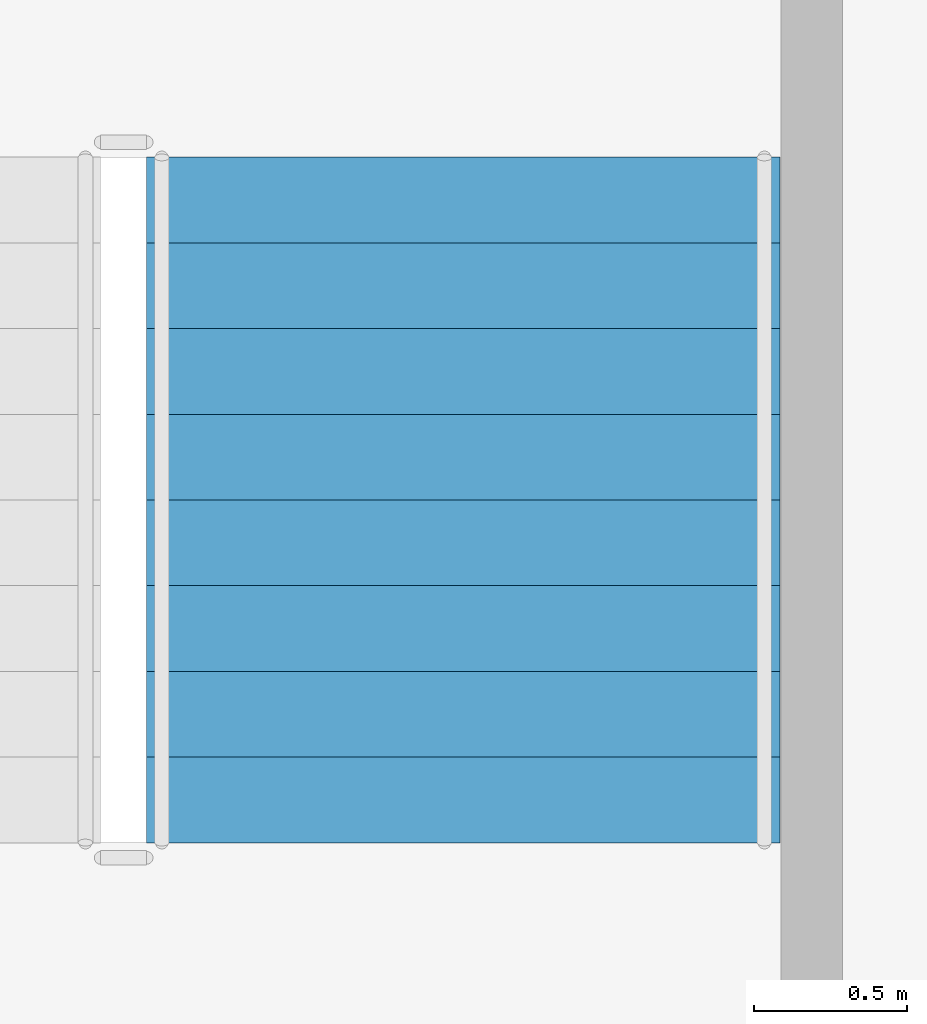
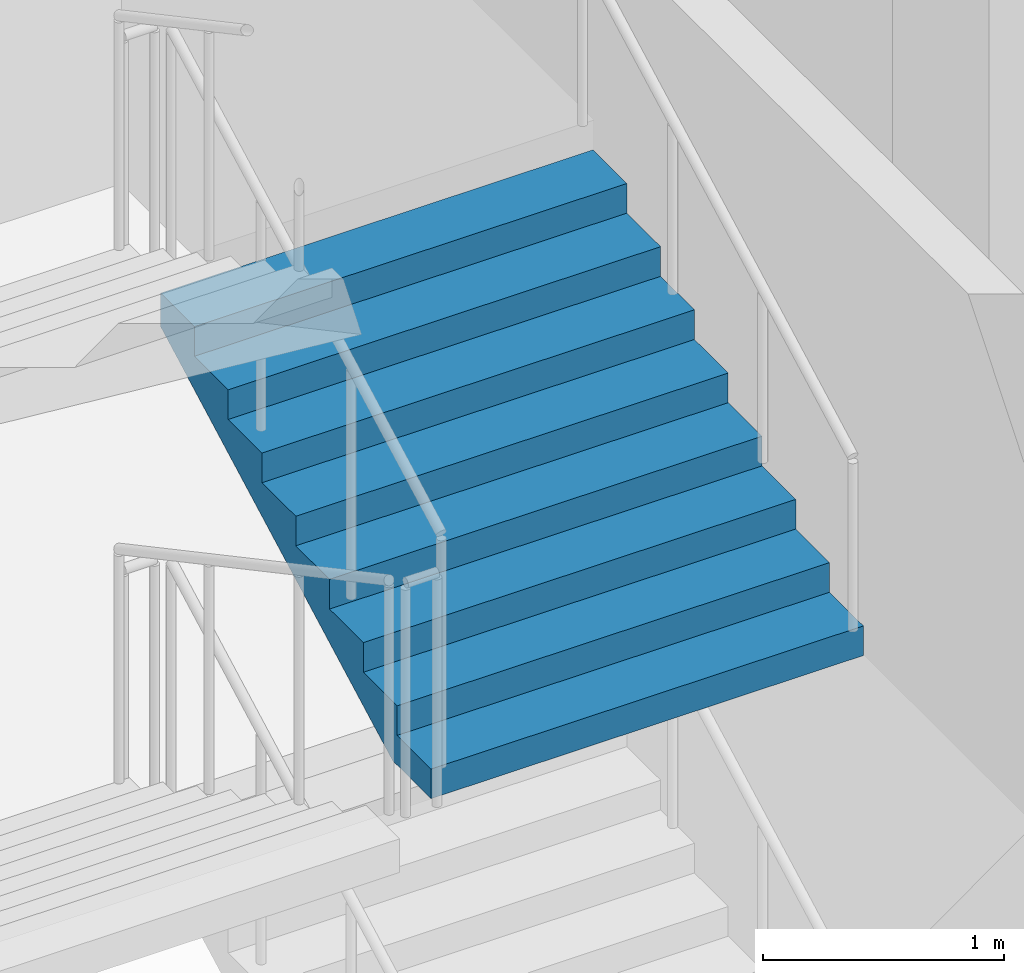
# One storey, part 22 of 27: 1 stair flight, 1 element without a shape of its own.
"""IFC4 building model written with IfcOpenShell, lengths in metres."""

from ifc_helpers import new_model, si_unit, direction, frame, origin, place, context, subcontext, project, spatial, polygons, material, type_object, element, aggregate, save


model = new_model("IFC4")

# Units and contexts
model_context = context("Model", 3, precision=1e-05, world=origin(), true_north=direction((0.0, 1.0)))
body_context = subcontext(model_context, "Body", "Model", "MODEL_VIEW")
ifc_project = project(units=[si_unit("LENGTHUNIT", "METRE"), si_unit("AREAUNIT", "SQUARE_METRE"), si_unit("VOLUMEUNIT", "CUBIC_METRE"), si_unit("PLANEANGLEUNIT", "RADIAN"), si_unit("MASSUNIT", "GRAM", prefix="KILO")], contexts=[model_context])

# Site, building, storey
site_placement = place(None, origin())
site = spatial("IfcSite", under=ifc_project, at=site_placement, CompositionType="ELEMENT")
building_placement = place(site_placement, origin())
building = spatial("IfcBuilding", under=site, at=building_placement, Name="Caravel Reach Hotel and Residences", CompositionType="ELEMENT")
storey_placement = place(building_placement, frame((0.0, 0.0, 6.60009765625)))
storey = spatial("IfcBuildingStorey", under=building, at=storey_placement, Name="L01", CompositionType="ELEMENT", Elevation=6.60009765625)

# Stair, stair flight
ifc_material_1 = material(Name="Concrete C40", Category="concrete")
stair_type = type_object("IfcStairType", Name="Core stair", PredefinedType="HALF_TURN_STAIR", material=ifc_material_1)
stair_placement = place(storey_placement, origin())
stair = element("IfcStair", 1, at=stair_placement, inside=storey, type_object=stair_type, Name="L01 Exit stair P6", PredefinedType="HALF_TURN_STAIR")
ifc_material_2 = material(Name="Concrete C40", Category="concrete")
stair_flight_type = type_object("IfcStairFlightType", Name="Core stair flight", PredefinedType="STRAIGHT", material=ifc_material_2)
stair_flight_placement = place(storey_placement, frame((64.360107421875, 42.68994140625, 2.699951171875), z_axis=(0.0, 0.0, 1.0), x_axis=(0.0, 1.0, 0.0)))
stair_flight = element("IfcStairFlight", 2, at=stair_flight_placement, type_object=stair_flight_type, Name="ST-P6 flight 3", NumberOfRisers=9, NumberOfTreads=8, PredefinedType="STRAIGHT", RiserHeight=0.15, TreadLength=0.28, context=body_context, shape_type="Tessellation", body=[
    polygons([(0.3174408016601864, 1.0350341796875, 0.0), (0.3174408016601864, 0.6900227864583333, 0.0), (0.3174408016601864, 0.34501139322916663, 0.0), (0.3174408016601864, 0.0, 0.0), (0.3174408016601864, -0.34501139322916674, 0.0), (0.3174408016601864, -0.6900227864583333, 0.0), (0.3174408016601864, -1.0350341796875, 0.0), (2.241, 1.0350341796875, 1.029942427682043), (2.241, 0.6900227864583333, 1.029942427682043), (2.241, 0.34501139322916663, 1.029942427682043), (2.241, 0.0, 1.029942427682043), (2.241, -0.34501139322916674, 1.029942427682043), (2.241, -0.6900227864583333, 1.029942427682043), (2.241, -1.0350341796875, 1.029942427682043), (2.241, 1.0350341796875, 1.2), (2.241, 0.6900227864583333, 1.2), (2.241, 0.34501139322916663, 1.2), (2.241, 0.0, 1.2), (2.241, -0.34501139322916674, 1.2), (2.241, -0.6900227864583333, 1.2), (2.241, -1.0350341796875, 1.2), (1.9600000000000002, 1.0350341796875, 1.2), (1.9600000000000002, 0.6900227864583333, 1.2), (1.9600000000000002, 0.34501139322916663, 1.2), (1.9600000000000002, 0.0, 1.2), (1.9600000000000002, -0.34501139322916674, 1.2), (1.9600000000000002, -0.6900227864583333, 1.2), (1.9600000000000002, -1.0350341796875, 1.2), (1.9600000000000002, 1.0350341796875, 1.05), (1.9600000000000002, 0.6900227864583333, 1.05), (1.9600000000000002, 0.34501139322916663, 1.05), (1.9600000000000002, 0.0, 1.05), (1.9600000000000002, -0.34501139322916674, 1.05), (1.9600000000000002, -0.6900227864583333, 1.05), (1.9600000000000002, -1.0350341796875, 1.05), (1.6800000000000002, 1.0350341796875, 1.05), (1.6800000000000002, 0.6900227864583333, 1.05), (1.6800000000000002, 0.34501139322916663, 1.05), (1.6800000000000002, 0.0, 1.05), (1.6800000000000002, -0.34501139322916674, 1.05), (1.6800000000000002, -0.6900227864583333, 1.05), (1.6800000000000002, -1.0350341796875, 1.05), (1.6800000000000002, 1.0350341796875, 0.8999999999999999), (1.6800000000000002, 0.6900227864583333, 0.8999999999999999), (1.6800000000000002, 0.34501139322916663, 0.8999999999999999), (1.6800000000000002, 0.0, 0.8999999999999999), (1.6800000000000002, -0.34501139322916674, 0.8999999999999999), (1.6800000000000002, -0.6900227864583333, 0.8999999999999999), (1.6800000000000002, -1.0350341796875, 0.8999999999999999), (1.4000000000000001, 1.0350341796875, 0.8999999999999999), (1.4000000000000001, 0.6900227864583333, 0.8999999999999999), (1.4000000000000001, 0.34501139322916663, 0.8999999999999999), (1.4000000000000001, 0.0, 0.8999999999999999), (1.4000000000000001, -0.34501139322916674, 0.8999999999999999), (1.4000000000000001, -0.6900227864583333, 0.8999999999999999), (1.4000000000000001, -1.0350341796875, 0.8999999999999999), (1.4000000000000001, 1.0350341796875, 0.75), (1.4000000000000001, 0.6900227864583333, 0.75), (1.4000000000000001, 0.34501139322916663, 0.75), (1.4000000000000001, 0.0, 0.75), (1.4000000000000001, -0.34501139322916674, 0.75), (1.4000000000000001, -0.6900227864583333, 0.75), (1.4000000000000001, -1.0350341796875, 0.75), (1.12, 1.0350341796875, 0.75), (1.12, 0.6900227864583333, 0.75), (1.12, 0.34501139322916663, 0.75), (1.12, 0.0, 0.75), (1.12, -0.34501139322916674, 0.75), (1.12, -0.6900227864583333, 0.75), (1.12, -1.0350341796875, 0.75), (1.12, 1.0350341796875, 0.6), (1.12, 0.6900227864583333, 0.6), (1.12, 0.34501139322916663, 0.6), (1.12, 0.0, 0.6), (1.12, -0.34501139322916674, 0.6), (1.12, -0.6900227864583333, 0.6), (1.12, -1.0350341796875, 0.6), (0.8400000000000001, 1.0350341796875, 0.6), (0.8400000000000001, 0.6900227864583333, 0.6), (0.8400000000000001, 0.34501139322916663, 0.6), (0.8400000000000001, 0.0, 0.6), (0.8400000000000001, -0.34501139322916674, 0.6), (0.8400000000000001, -0.6900227864583333, 0.6), (0.8400000000000001, -1.0350341796875, 0.6), (0.8400000000000001, 1.0350341796875, 0.44999999999999996), (0.8400000000000001, 0.6900227864583333, 0.44999999999999996), (0.8400000000000001, 0.34501139322916663, 0.44999999999999996), (0.8400000000000001, 0.0, 0.44999999999999996), (0.8400000000000001, -0.34501139322916674, 0.44999999999999996), (0.8400000000000001, -0.6900227864583333, 0.44999999999999996), (0.8400000000000001, -1.0350341796875, 0.44999999999999996), (0.56, 1.0350341796875, 0.44999999999999996), (0.56, 0.6900227864583333, 0.44999999999999996), (0.56, 0.34501139322916663, 0.44999999999999996), (0.56, 0.0, 0.44999999999999996), (0.56, -0.34501139322916674, 0.44999999999999996), (0.56, -0.6900227864583333, 0.44999999999999996), (0.56, -1.0350341796875, 0.44999999999999996), (0.56, 1.0350341796875, 0.3), (0.56, 0.6900227864583333, 0.3), (0.56, 0.34501139322916663, 0.3), (0.56, 0.0, 0.3), (0.56, -0.34501139322916674, 0.3), (0.56, -0.6900227864583333, 0.3), (0.56, -1.0350341796875, 0.3), (0.28, 1.0350341796875, 0.3), (0.28, 0.6900227864583333, 0.3), (0.28, 0.34501139322916663, 0.3), (0.28, 0.0, 0.3), (0.28, -0.34501139322916674, 0.3), (0.28, -0.6900227864583333, 0.3), (0.28, -1.0350341796875, 0.3), (0.28, 1.0350341796875, 0.15), (0.28, 0.6900227864583333, 0.15), (0.28, 0.34501139322916663, 0.15), (0.28, 0.0, 0.15), (0.28, -0.34501139322916674, 0.15), (0.28, -0.6900227864583333, 0.15), (0.28, -1.0350341796875, 0.15), (-0.001, 1.0350341796875, 0.15), (-0.001, 0.6900227864583333, 0.15), (-0.001, 0.34501139322916663, 0.15), (-0.001, 0.0, 0.15), (-0.001, -0.34501139322916674, 0.15), (-0.001, -0.6900227864583333, 0.15), (-0.001, -1.0350341796875, 0.15), (-0.001, 1.0350341796875, 0.0), (-0.001, 0.6900227864583333, 0.0), (-0.001, 0.34501139322916663, 0.0), (-0.001, 0.0, 0.0), (-0.001, -0.34501139322916674, 0.0), (-0.001, -0.6900227864583333, 0.0), (-0.001, -1.0350341796875, 0.0)], [[[127, 120, 113, 106, 99, 92, 85, 78, 71, 64, 57, 50, 43, 36, 29, 22, 15, 8, 1]], [[7, 14, 21, 28, 35, 42, 49, 56, 63, 70, 77, 84, 91, 98, 105, 112, 119, 126, 133]], [[1, 8, 9, 2]], [[2, 9, 10, 3]], [[3, 10, 11, 4]], [[4, 11, 12, 5]], [[5, 12, 13, 6]], [[6, 13, 14, 7]], [[8, 15, 16, 9]], [[9, 16, 17, 10]], [[10, 17, 18, 11]], [[11, 18, 19, 12]], [[12, 19, 20, 13]], [[13, 20, 21, 14]], [[15, 22, 23, 16]], [[16, 23, 24, 17]], [[17, 24, 25, 18]], [[18, 25, 26, 19]], [[19, 26, 27, 20]], [[20, 27, 28, 21]], [[22, 29, 30, 23]], [[23, 30, 31, 24]], [[24, 31, 32, 25]], [[25, 32, 33, 26]], [[26, 33, 34, 27]], [[27, 34, 35, 28]], [[29, 36, 37, 30]], [[30, 37, 38, 31]], [[31, 38, 39, 32]], [[32, 39, 40, 33]], [[33, 40, 41, 34]], [[34, 41, 42, 35]], [[36, 43, 44, 37]], [[37, 44, 45, 38]], [[38, 45, 46, 39]], [[39, 46, 47, 40]], [[40, 47, 48, 41]], [[41, 48, 49, 42]], [[43, 50, 51, 44]], [[44, 51, 52, 45]], [[45, 52, 53, 46]], [[46, 53, 54, 47]], [[47, 54, 55, 48]], [[48, 55, 56, 49]], [[50, 57, 58, 51]], [[51, 58, 59, 52]], [[52, 59, 60, 53]], [[53, 60, 61, 54]], [[54, 61, 62, 55]], [[55, 62, 63, 56]], [[57, 64, 65, 58]], [[58, 65, 66, 59]], [[59, 66, 67, 60]], [[60, 67, 68, 61]], [[61, 68, 69, 62]], [[62, 69, 70, 63]], [[64, 71, 72, 65]], [[65, 72, 73, 66]], [[66, 73, 74, 67]], [[67, 74, 75, 68]], [[68, 75, 76, 69]], [[69, 76, 77, 70]], [[71, 78, 79, 72]], [[72, 79, 80, 73]], [[73, 80, 81, 74]], [[74, 81, 82, 75]], [[75, 82, 83, 76]], [[76, 83, 84, 77]], [[78, 85, 86, 79]], [[79, 86, 87, 80]], [[80, 87, 88, 81]], [[81, 88, 89, 82]], [[82, 89, 90, 83]], [[83, 90, 91, 84]], [[85, 92, 93, 86]], [[86, 93, 94, 87]], [[87, 94, 95, 88]], [[88, 95, 96, 89]], [[89, 96, 97, 90]], [[90, 97, 98, 91]], [[92, 99, 100, 93]], [[93, 100, 101, 94]], [[94, 101, 102, 95]], [[95, 102, 103, 96]], [[96, 103, 104, 97]], [[97, 104, 105, 98]], [[99, 106, 107, 100]], [[100, 107, 108, 101]], [[101, 108, 109, 102]], [[102, 109, 110, 103]], [[103, 110, 111, 104]], [[104, 111, 112, 105]], [[106, 113, 114, 107]], [[107, 114, 115, 108]], [[108, 115, 116, 109]], [[109, 116, 117, 110]], [[110, 117, 118, 111]], [[111, 118, 119, 112]], [[113, 120, 121, 114]], [[114, 121, 122, 115]], [[115, 122, 123, 116]], [[116, 123, 124, 117]], [[117, 124, 125, 118]], [[118, 125, 126, 119]], [[120, 127, 128, 121]], [[121, 128, 129, 122]], [[122, 129, 130, 123]], [[123, 130, 131, 124]], [[124, 131, 132, 125]], [[125, 132, 133, 126]], [[127, 1, 2, 128]], [[128, 2, 3, 129]], [[129, 3, 4, 130]], [[130, 4, 5, 131]], [[131, 5, 6, 132]], [[132, 6, 7, 133]]], closed=True),
])
aggregate(stair, [stair_flight])

save(model, "model.ifc")
